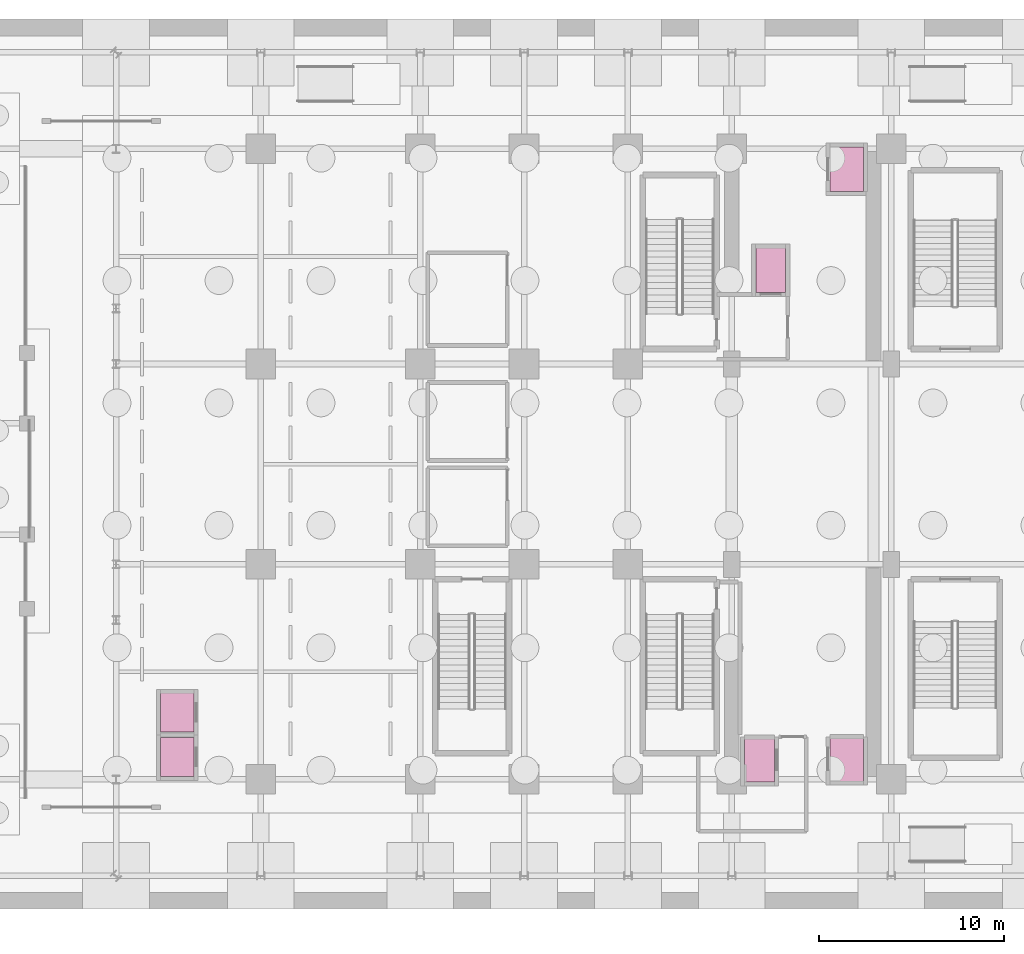
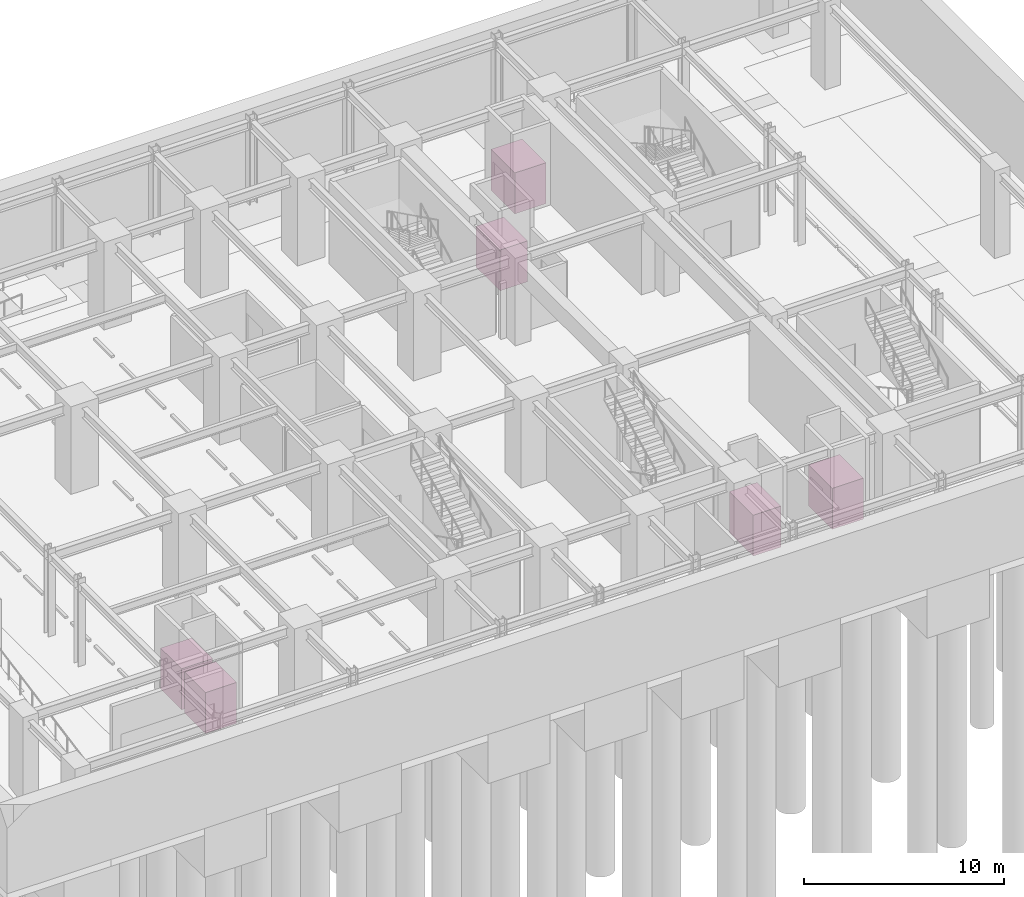
# One storey, part 14 of 14: 6 transport elements.
"""IFC4 building model written with IfcOpenShell, lengths in metres."""

from ifc_helpers import new_model, si_unit, direction, frame, origin, origin_2d, place, context, subcontext, project, spatial, rectangle, extrude, source, transform, mapped, material, type_object, element, save


model = new_model("IFC4")

# Units and contexts
model_context = context("Model", 3, precision=1e-05, world=origin(), true_north=direction((0.0, 1.0)))
body_context = subcontext(model_context, "Body", "Model", "MODEL_VIEW")
ifc_project = project(units=[si_unit("LENGTHUNIT", "METRE"), si_unit("AREAUNIT", "SQUARE_METRE"), si_unit("VOLUMEUNIT", "CUBIC_METRE"), si_unit("PLANEANGLEUNIT", "RADIAN"), si_unit("MASSUNIT", "GRAM", prefix="KILO")], contexts=[model_context])

# Site, building, storey
site_placement = place(None, origin())
site = spatial("IfcSite", under=ifc_project, at=site_placement, CompositionType="ELEMENT")
building_placement = place(site_placement, origin())
building = spatial("IfcBuilding", under=site, at=building_placement, Name="Nahalor Promenade Grand Hotel", CompositionType="ELEMENT")
storey_placement = place(building_placement, frame((0.0, 0.0, -10.800048828125)))
storey = spatial("IfcBuildingStorey", under=building, at=storey_placement, Name="B02", CompositionType="ELEMENT", Elevation=-10.800048828125)

# Transport elements
ifc_material = material(Name="Steel S355JR", Category="steel")
transport_element_type_1 = type_object("IfcTransportElementType", Name="Lift-Passenger-1600kg", PredefinedType="ELEVATOR", material=ifc_material)
shared_shape_1 = source(origin(), body_context, "Body", "SweptSolid", [
    extrude(rectangle(XDim=1.800048828125, YDim=2.10009765625, at=origin_2d()), origin(), (0.0, 0.0, 1.0), 2.5),
])
for number, where, z_axis, x_axis, name in (
    (1, (-21.5, -15.800048828125, 0.0), (0.0, 0.0, 1.0), (1.0, 0.0, 0.0), "Elevator Car PD1"),
    (2, (-21.5, -13.39990234375, 0.0), (0.0, 0.0, 1.0), (1.0, 0.0, 0.0), "Elevator Car PD2"),
):
    element("IfcTransportElement", number, at=place(storey_placement, frame(where, z_axis=z_axis, x_axis=x_axis)), inside=storey, type_object=transport_element_type_1, Name=name, PredefinedType="ELEVATOR", context=body_context, shape_type="MappedRepresentation", body=[
        mapped(shared_shape_1, transform((0.0, 0.0, 0.0), scale=1.0)),
    ])
transport_element_type_2 = type_object("IfcTransportElementType", Name="Lift-Firefighting-1800kg", PredefinedType="ELEVATOR", material=ifc_material)
shared_shape_2 = source(origin(), body_context, "Body", "SweptSolid", [
    extrude(rectangle(XDim=1.60009765625, YDim=2.39990234375, at=origin_2d()), origin(), (0.0, 0.0, 1.0), 2.5),
])
for number, where, z_axis, x_axis, name in (
    (3, (10.5, 10.449951171875, 0.0), (0.0, 0.0, 1.0), (1.0, 0.0, 0.0), "Elevator Car FL1"),
    (4, (9.89990234375, -15.949951171875, 0.0), (0.0, 0.0, 1.0), (1.0, 0.0, 0.0), "Elevator Car FL2"),
):
    element("IfcTransportElement", number, at=place(storey_placement, frame(where, z_axis=z_axis, x_axis=x_axis)), inside=storey, type_object=transport_element_type_2, Name=name, PredefinedType="ELEVATOR", context=body_context, shape_type="MappedRepresentation", body=[
        mapped(shared_shape_2, transform((0.0, 0.0, 0.0), scale=1.0)),
    ])
transport_element_type_3 = type_object("IfcTransportElementType", Name="Lift-Service-2000kg", PredefinedType="ELEVATOR", material=ifc_material)
shared_shape_3 = source(origin(), body_context, "Body", "SweptSolid", [
    extrude(rectangle(XDim=1.800048828125, YDim=2.39990234375, at=origin_2d()), origin(), (0.0, 0.0, 1.0), 2.5),
])
for number, where, z_axis, x_axis, name in (
    (5, (14.60009765625, 15.89990234375, 0.0), (0.0, 0.0, 1.0), (1.0, 0.0, 0.0), "Elevator Car SV1"),
    (6, (14.60009765625, -15.89990234375, 0.0), (0.0, 0.0, 1.0), (1.0, 0.0, 0.0), "Elevator Car SV2"),
):
    element("IfcTransportElement", number, at=place(storey_placement, frame(where, z_axis=z_axis, x_axis=x_axis)), inside=storey, type_object=transport_element_type_3, Name=name, PredefinedType="ELEVATOR", context=body_context, shape_type="MappedRepresentation", body=[
        mapped(shared_shape_3, transform((0.0, 0.0, 0.0), scale=1.0)),
    ])

save(model, "model.ifc")
